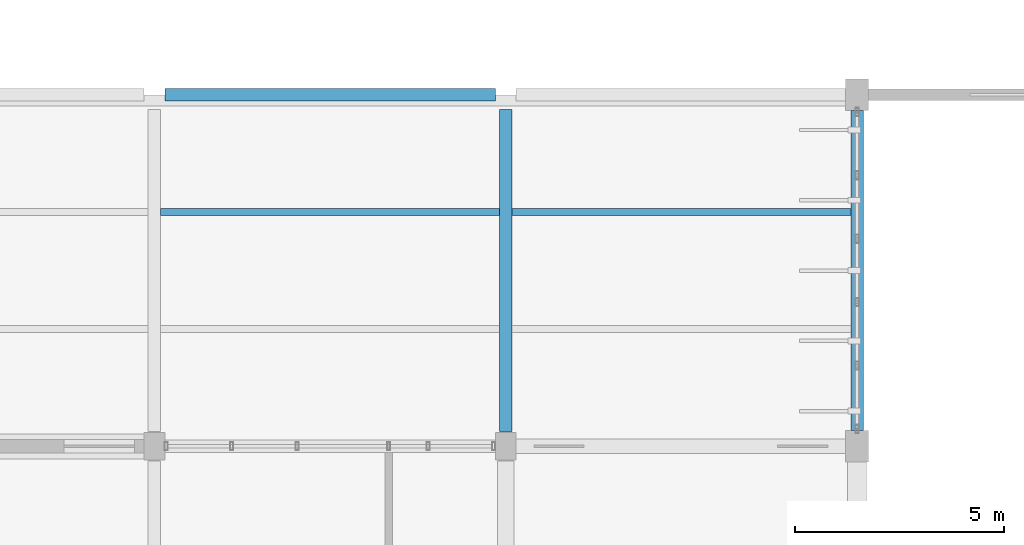
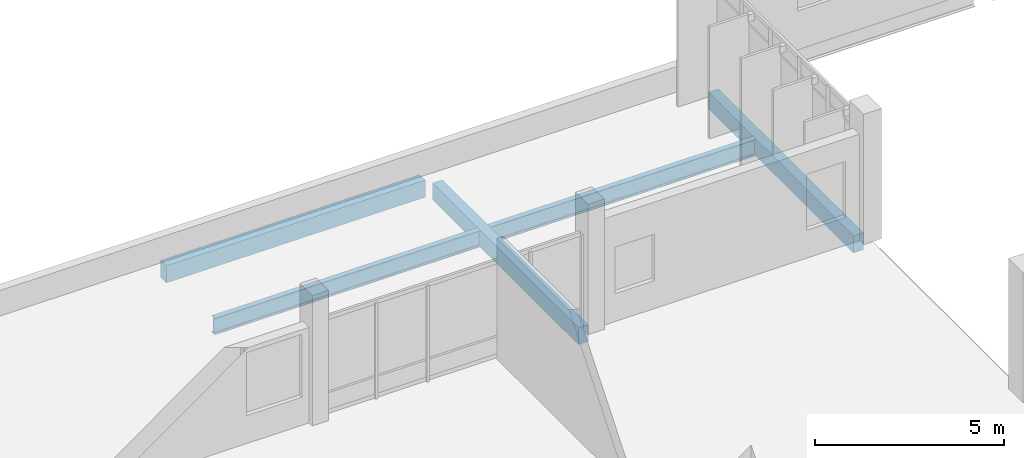
# One storey, part 69 of 101: 5 beams.
"""IFC4 building model written with IfcOpenShell, lengths in metres."""

from ifc_helpers import new_model, si_unit, direction, frame, origin, origin_2d, place, context, subcontext, project, spatial, rectangle, i_section, extrude, material, material_profile, profile_set, type_object, element, save


model = new_model("IFC4")

# Units and contexts
model_context = context("Model", 3, precision=1e-05, world=origin(), true_north=direction((0.0, 1.0)))
body_context = subcontext(model_context, "Body", "Model", "MODEL_VIEW")
ifc_project = project(units=[si_unit("LENGTHUNIT", "METRE"), si_unit("AREAUNIT", "SQUARE_METRE"), si_unit("VOLUMEUNIT", "CUBIC_METRE"), si_unit("PLANEANGLEUNIT", "RADIAN"), si_unit("MASSUNIT", "GRAM", prefix="KILO")], contexts=[model_context])

# Site, building, storey
site_placement = place(None, origin())
site = spatial("IfcSite", under=ifc_project, at=site_placement, CompositionType="ELEMENT")
building_placement = place(site_placement, origin())
building = spatial("IfcBuilding", under=site, at=building_placement, Name="Vireocrest Preparatory School", CompositionType="ELEMENT")
storey_placement = place(building_placement, frame((0.0, 0.0, 4.800048828125)))
storey = spatial("IfcBuildingStorey", under=building, at=storey_placement, Name="L01", CompositionType="ELEMENT", Elevation=4.800048828125)

# Beams
ifc_material_1 = material(Name="Structural steel ASTM A992 Grade 50", Category="steel")
ifc_material_profile_1 = material_profile(ifc_material_1, i_section(OverallWidth=0.166015625, OverallDepth=0.529052734375, WebThickness=0.009765625, FlangeThickness=0.013671875, FilletRadius=0.014892578125, at=origin_2d()), Name="W21X50")
ifc_profile_set_1 = profile_set([ifc_material_profile_1], Name="Structural steel ASTM A992 Grade 50")
beam_type_1 = type_object("IfcBeamType", Name="Pavilion Roof Joist W21X50", PredefinedType="JOIST", material=ifc_profile_set_1)
beam_1_placement = place(storey_placement, frame((126.14990234375, 49.39990234375, -0.484619140625), z_axis=(1.0, 0.0, 0.0), x_axis=(0.0, 1.0, 0.0)))
element("IfcBeam", 1, at=beam_1_placement, inside=storey, type_object=beam_type_1, Name="Secondary Joist SJ1 L01-0654", PredefinedType="JOIST", context=body_context, shape_type="SweptSolid", body=[
    extrude(i_section(OverallWidth=0.166015625, OverallDepth=0.529052734375, WebThickness=0.009765625, FlangeThickness=0.013671875, FilletRadius=0.014892578125, at=origin_2d()), origin(), (0.0, 0.0, 1.0), 8.10009765625),
])
beam_2_placement = place(storey_placement, frame((134.550048828125, 49.39990234375, -0.484619140625), z_axis=(1.0, 0.0, 0.0), x_axis=(0.0, 1.0, 0.0)))
element("IfcBeam", 2, at=beam_2_placement, inside=storey, type_object=beam_type_1, Name="Secondary Joist SJ1 L01-0662", PredefinedType="JOIST", context=body_context, shape_type="SweptSolid", body=[
    extrude(i_section(OverallWidth=0.166015625, OverallDepth=0.529052734375, WebThickness=0.009765625, FlangeThickness=0.013671875, FilletRadius=0.014892578125, at=origin_2d()), origin(), (0.0, 0.0, 1.0), 8.099853515625),
])
ifc_material_2 = material(Name="Concrete 40 MPa", Category="concrete")
ifc_material_profile_2 = material_profile(ifc_material_2, rectangle(XDim=0.300048828125, YDim=0.550048828125, at=origin_2d()), Name="RC 300x550")
ifc_profile_set_2 = profile_set([ifc_material_profile_2], Name="Concrete 40 MPa")
beam_type_2 = type_object("IfcBeamType", Name="RC Roof Girder 300x550", PredefinedType="BEAM", material=ifc_profile_set_2)
beam_3_placement = place(storey_placement, frame((126.25, 52.199951171875, -0.4951171875), z_axis=(1.0, 0.0, 0.0), x_axis=(0.0, 1.0, 0.0)))
element("IfcBeam", 3, at=beam_3_placement, inside=storey, type_object=beam_type_2, Name="Primary Girder B02 L01-0318", PredefinedType="BEAM", context=body_context, shape_type="SweptSolid", body=[
    extrude(rectangle(XDim=0.300048828125, YDim=0.550048828125, at=origin_2d()), origin(), (0.0, 0.0, 1.0), 7.89990234375),
])
beam_4_placement = place(storey_placement, frame((134.39990234375, 44.14990234375, -0.4951171875), z_axis=(0.0, 1.0, 0.0), x_axis=(-1.0, 0.0, 0.0)))
element("IfcBeam", 4, at=beam_4_placement, inside=storey, type_object=beam_type_2, Name="Primary Girder B02 L01-0487", PredefinedType="BEAM", context=body_context, shape_type="SweptSolid", body=[
    extrude(rectangle(XDim=0.300048828125, YDim=0.550048828125, at=origin_2d()), origin(), (0.0, 0.0, 1.0), 7.7001953125),
])
beam_5_placement = place(storey_placement, frame((142.800048828125, 44.175048828125, -0.4951171875), z_axis=(0.0, 1.0, 0.0), x_axis=(-1.0, 0.0, 0.0)))
element("IfcBeam", 5, at=beam_5_placement, inside=storey, type_object=beam_type_2, Name="Primary Girder B02 L01-0491", PredefinedType="BEAM", context=body_context, shape_type="SweptSolid", body=[
    extrude(rectangle(XDim=0.300048828125, YDim=0.550048828125, at=origin_2d()), origin(), (0.0, 0.0, 1.0), 7.64990234375),
])

save(model, "model.ifc")
